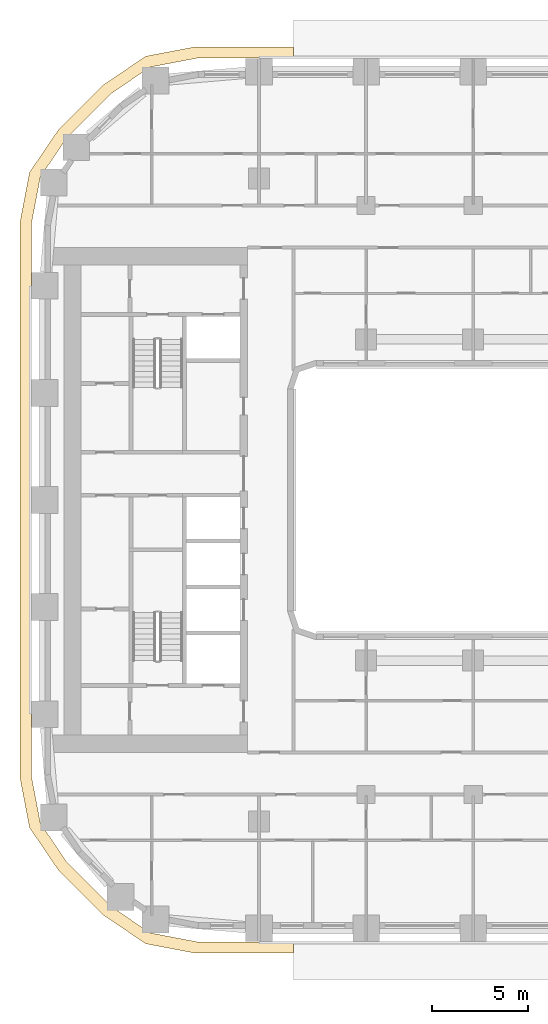
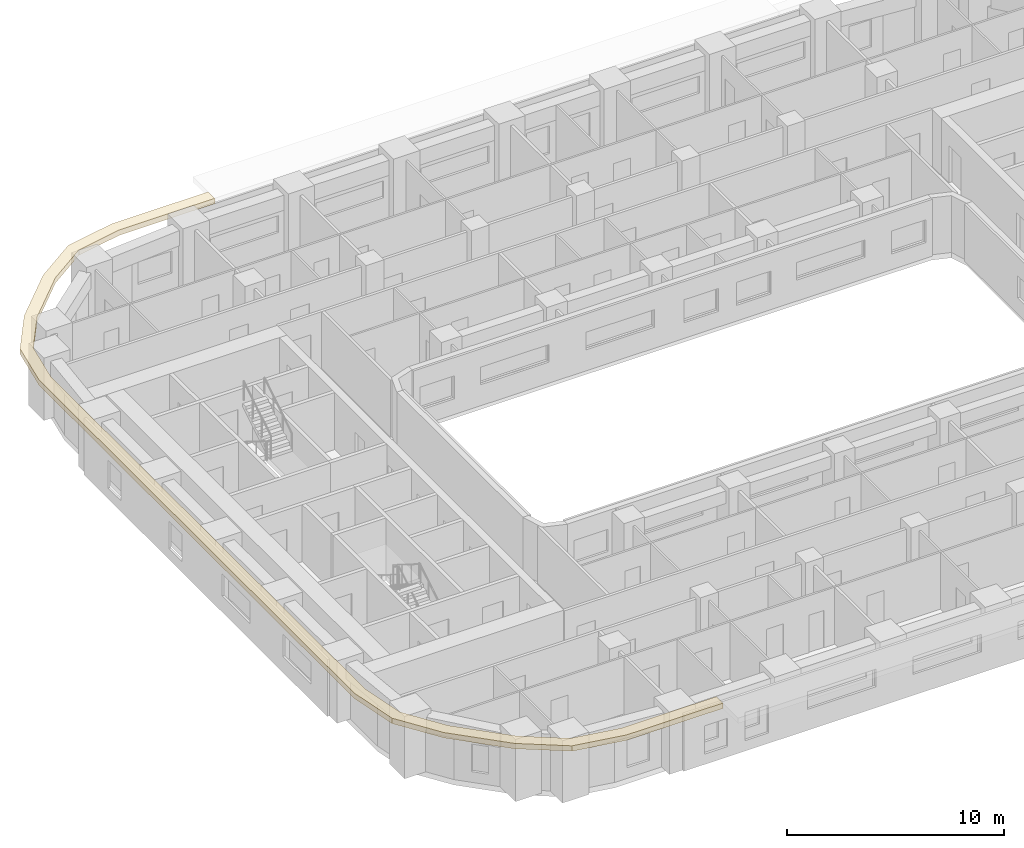
# One storey, part 14 of 22: 1 covering.
"""IFC4 building model written with IfcOpenShell, lengths in metres."""

import ifcopenshell
import ifcopenshell.guid

model = None  # the IFC model being written
_history = None  # IfcOwnerHistory: only IFC2X3 demands one
_inside = {}  # id of a spatial element -> (the spatial element, [elements in it])
_under = {}  # id of a project, library or spatial element -> (it, [spatial elements below it])
_declared = {}  # id of a project -> (the project, [libraries it declares])
_typed = {}  # id of a type object -> (the type object, [elements of that type])
_made_of = {}  # id of a material, layer set ... -> (it, [elements and type objects made of it])


def new_model(schema):
    """Start an empty IFC model of exactly this schema.

    Asked for "IFC4X3", IfcOpenShell would pick the latest addendum, in which some entities
    have other attributes; the version numbers below select the first issue.
    IFC2X3 requires an IfcOwnerHistory on every rooted entity: one is made here for all.
    """
    global model, _history
    if schema == "IFC4X3":
        model = ifcopenshell.file(schema_version=(4, 3, 0, 0))
    else:
        model = ifcopenshell.file(schema=schema)
    _inside.clear()
    _under.clear()
    _declared.clear()
    _typed.clear()
    _made_of.clear()
    _history = None
    if model.schema == "IFC2X3":
        org = make("IfcOrganization", Name="unknown")
        user = make(
            "IfcPersonAndOrganization",
            ThePerson=make("IfcPerson", FamilyName="unknown"),
            TheOrganization=org,
        )
        app = make(
            "IfcApplication",
            ApplicationDeveloper=org,
            Version="unknown",
            ApplicationFullName="unknown",
            ApplicationIdentifier="unknown",
        )
        _history = make(
            "IfcOwnerHistory",
            OwningUser=user,
            OwningApplication=app,
            ChangeAction="ADDED",
            CreationDate=0,
        )
    return model


def make(cls, **values):
    """One entity of the class cls with the attributes given. An attribute that is None is left unset."""
    return model.create_entity(
        cls, **{name: value for name, value in values.items() if value is not None}
    )


def rooted(cls, **values):
    """An entity with a GlobalId (a new one), such as an element, a storey or a relation."""
    return make(cls, GlobalId=ifcopenshell.guid.new(), OwnerHistory=_history, **values)


def si_unit(unit_type, name, prefix=None):
    """IfcSIUnit, for example si_unit("LENGTHUNIT", "METRE", prefix="MILLI")."""
    return make("IfcSIUnit", UnitType=unit_type, Prefix=prefix, Name=name)


def assignment(units):
    """IfcUnitAssignment: the units of a project."""
    return None if units is None else make("IfcUnitAssignment", Units=units)


def point(xyz):
    """IfcCartesianPoint."""
    return None if xyz is None else make("IfcCartesianPoint", Coordinates=xyz)


def direction(xyz):
    """IfcDirection."""
    return None if xyz is None else make("IfcDirection", DirectionRatios=xyz)


def frame(location, z_axis=None, x_axis=None):
    """IfcAxis2Placement3D, a coordinate frame: its origin and axes. An axis left out is left unset."""
    return make(
        "IfcAxis2Placement3D",
        Location=point(location),
        Axis=direction(z_axis),
        RefDirection=direction(x_axis),
    )


def origin():
    """The frame at (0, 0, 0) with its axes left unset."""
    return frame((0.0, 0.0, 0.0))


def place(relative_to, where):
    """IfcLocalPlacement: puts the frame where relative to a parent placement (None: the world)."""
    return make(
        "IfcLocalPlacement", PlacementRelTo=relative_to, RelativePlacement=where
    )


def context(
    kind, dimensions, precision=None, world=None, true_north=None, identifier=None
):
    """IfcGeometricRepresentationContext, for example the 3D "Model" context."""
    return make(
        "IfcGeometricRepresentationContext",
        ContextIdentifier=identifier,
        ContextType=kind,
        CoordinateSpaceDimension=dimensions,
        Precision=precision,
        WorldCoordinateSystem=world,
        TrueNorth=true_north,
    )


def subcontext(parent, identifier, kind, view, scale=None):
    """IfcGeometricRepresentationSubContext, for example "Body" below "Model"."""
    return make(
        "IfcGeometricRepresentationSubContext",
        ContextIdentifier=identifier,
        ContextType=kind,
        ParentContext=parent,
        TargetScale=scale,
        TargetView=view,
    )


def project(units=None, contexts=None):
    """IfcProject with its units and contexts."""
    return rooted(
        "IfcProject",
        Name="project",
        RepresentationContexts=contexts,
        UnitsInContext=assignment(units),
    )


def spatial(cls, under=None, at=None, **own):
    """A site, building, storey or space (cls), placed at a placement, below another one or the project."""
    s = rooted(cls, ObjectPlacement=at, **own)
    if under is not None:
        _under.setdefault(under.id(), (under, []))[1].append(s)
    return s


def polyline(points):
    """IfcPolyline through the points."""
    return make("IfcPolyline", Points=[point(p) for p in points])


def outline(outer, holes=None, kind="AREA"):
    """IfcArbitraryClosedProfileDef: a profile drawn as a closed curve; with holes, ...WithVoids."""
    if holes is None:
        return make("IfcArbitraryClosedProfileDef", ProfileType=kind, OuterCurve=outer)
    return make(
        "IfcArbitraryProfileDefWithVoids",
        ProfileType=kind,
        OuterCurve=outer,
        InnerCurves=holes,
    )


def extrude(swept, where, along, depth):
    """IfcExtrudedAreaSolid: the profile swept, set in the frame where, extruded along a direction by depth."""
    return make(
        "IfcExtrudedAreaSolid",
        SweptArea=swept,
        Position=where,
        ExtrudedDirection=direction(along),
        Depth=depth,
    )


def shape(context_of_items, identifier, shape_type, items):
    """IfcShapeRepresentation: the items that make up one representation, for example the "Body"."""
    return make(
        "IfcShapeRepresentation",
        ContextOfItems=context_of_items,
        RepresentationIdentifier=identifier,
        RepresentationType=shape_type,
        Items=items,
    )


def material(Name=None, Category=None):
    """IfcMaterial."""
    return make("IfcMaterial", Name=Name, Category=Category)


def layer(
    of_material, thickness, ventilated=None, Name=None, Category=None, Priority=None
):
    """IfcMaterialLayer: one layer of a wall or slab, of a material (None: an air gap)."""
    return make(
        "IfcMaterialLayer",
        Material=of_material,
        LayerThickness=thickness,
        IsVentilated=ventilated,
        Name=Name,
        Category=Category,
        Priority=Priority,
    )


def layer_set(layers, Name=None):
    """IfcMaterialLayerSet."""
    return make("IfcMaterialLayerSet", MaterialLayers=layers, LayerSetName=Name)


def made_of(thing, what):
    """Note that an element or type object is made of a material, layer set ...; save() writes the relation."""
    if what is not None:
        _made_of.setdefault(what.id(), (what, []))[1].append(thing)
    return thing


def type_object(cls, material=None, **own):
    """A type object (cls), such as IfcWallType, which elements share."""
    return made_of(rooted(cls, **own), material)


def element(
    cls,
    number,
    at=None,
    inside=None,
    cuts=None,
    type_object=None,
    material=None,
    context=None,
    identifier="Body",
    shape_type=None,
    held_by="IfcProductDefinitionShape",
    body=None,
    shapes=None,
    **own,
):
    """One element of the class cls, such as IfcWall. Its Tag is "e" and its number.

    at: its placement. inside: the storey or other place that contains it. cuts: it is an
    opening in that element (IfcRelVoidsElement). A single representation is given by context,
    identifier, shape_type and body (its items); several are given by shapes. held_by: the class
    of the entity that holds the representations. save() writes the other relations.
    """
    e = rooted(cls, Tag="e%d" % number, ObjectPlacement=at, **own)
    if body is not None:
        shapes = [shape(context, identifier, shape_type, body)]
    if shapes is not None:
        e.Representation = make(held_by, Representations=shapes)
    if inside is not None:
        _inside.setdefault(inside.id(), (inside, []))[1].append(e)
    if cuts is not None:
        rooted(
            "IfcRelVoidsElement", RelatingBuildingElement=cuts, RelatedOpeningElement=e
        )
    if type_object is not None:
        _typed.setdefault(type_object.id(), (type_object, []))[1].append(e)
    return made_of(e, material)


def aggregate(whole, parts):
    """IfcRelAggregates: a whole, such as a stair, and the parts it consists of."""
    return rooted("IfcRelAggregates", RelatingObject=whole, RelatedObjects=parts)


def save(model, path):
    """Write the relations noted so far, then the file.

    IfcRelAggregates (storeys below a building ...), IfcRelContainedInSpatialStructure (elements
    in a storey), IfcRelDefinesByType, IfcRelAssociatesMaterial and IfcRelDeclares: one each for
    every whole, place, type object, material and project.
    """
    for whole, parts in _under.values():
        aggregate(whole, parts)
    for where, things in _inside.values():
        rooted(
            "IfcRelContainedInSpatialStructure",
            RelatedElements=things,
            RelatingStructure=where,
        )
    for kind, things in _typed.values():
        rooted("IfcRelDefinesByType", RelatedObjects=things, RelatingType=kind)
    for what, things in _made_of.values():
        rooted("IfcRelAssociatesMaterial", RelatedObjects=things, RelatingMaterial=what)
    for by, libraries in _declared.values():
        rooted("IfcRelDeclares", RelatingContext=by, RelatedDefinitions=libraries)
    model.write(path)


model = new_model("IFC4")

# Units and contexts
model_context = context("Model", 3, precision=1e-05, world=origin(), true_north=direction((0.0, 1.0)))
body_context = subcontext(model_context, "Body", "Model", "MODEL_VIEW")
ifc_project = project(units=[si_unit("LENGTHUNIT", "METRE"), si_unit("AREAUNIT", "SQUARE_METRE"), si_unit("VOLUMEUNIT", "CUBIC_METRE"), si_unit("PLANEANGLEUNIT", "RADIAN"), si_unit("MASSUNIT", "GRAM", prefix="KILO")], contexts=[model_context])

# Site, building, storey
site_placement = place(None, origin())
site = spatial("IfcSite", under=ifc_project, at=site_placement, CompositionType="ELEMENT")
building_placement = place(site_placement, origin())
building = spatial("IfcBuilding", under=site, at=building_placement, Name="Kiln Ring Residences", CompositionType="ELEMENT")
storey_placement = place(building_placement, frame((0.0, 0.0, 58.5)))
storey = spatial("IfcBuildingStorey", under=building, at=storey_placement, Name="L14", CompositionType="ELEMENT", Elevation=58.5)

# Covering
ifc_material = material(Name="Black powder-coated steel", Category="steel")
ifc_layer = layer(ifc_material, 0.300048828125)
ifc_layer_set = layer_set([ifc_layer], Name="SUNSHADE FIN 600")
covering_type = type_object("IfcCoveringType", Name="SUNSHADE FIN 600", PredefinedType="CLADDING", material=ifc_layer_set)
covering_placement = place(storey_placement, frame((0.0, 0.0, 3.199951171875)))
element("IfcCovering", 1, at=covering_placement, inside=storey, type_object=covering_type, Name="SUNSHADE FIN L14", PredefinedType="CLADDING", context=body_context, shape_type="SweptSolid", body=[
    extrude(outline(polyline([(-29.300048828125, -14.52294921875), (-28.80224609375, -17.13232421875), (-27.30908203125, -19.329345703125), (-24.929443359375, -21.708984375), (-22.732421875, -23.202392578125), (-20.122802734375, -23.699951171875), (-15.0, -23.699951171875), (-15.0, -23.10009765625), (-20.066162109375, -23.10009765625), (-22.497802734375, -22.63623046875), (-24.545166015625, -21.24462890625), (-26.8447265625, -18.9453125), (-28.236083984375, -16.897705078125), (-28.699951171875, -14.46630859375), (-28.699951171875, 14.46630859375), (-28.236083984375, 16.897705078125), (-26.8447265625, 18.9453125), (-24.545166015625, 21.24462890625), (-22.497802734375, 22.63623046875), (-20.066162109375, 23.10009765625), (-15.0, 23.10009765625), (-15.0, 23.699951171875), (-20.122802734375, 23.699951171875), (-22.732421875, 23.202392578125), (-24.929443359375, 21.708984375), (-27.30908203125, 19.329345703125), (-28.80224609375, 17.13232421875), (-29.300048828125, 14.52294921875), (-29.300048828125, -14.52294921875)])), origin(), (0.0, 0.0, 1.0), 0.300048828125),
])

save(model, "model.ifc")
